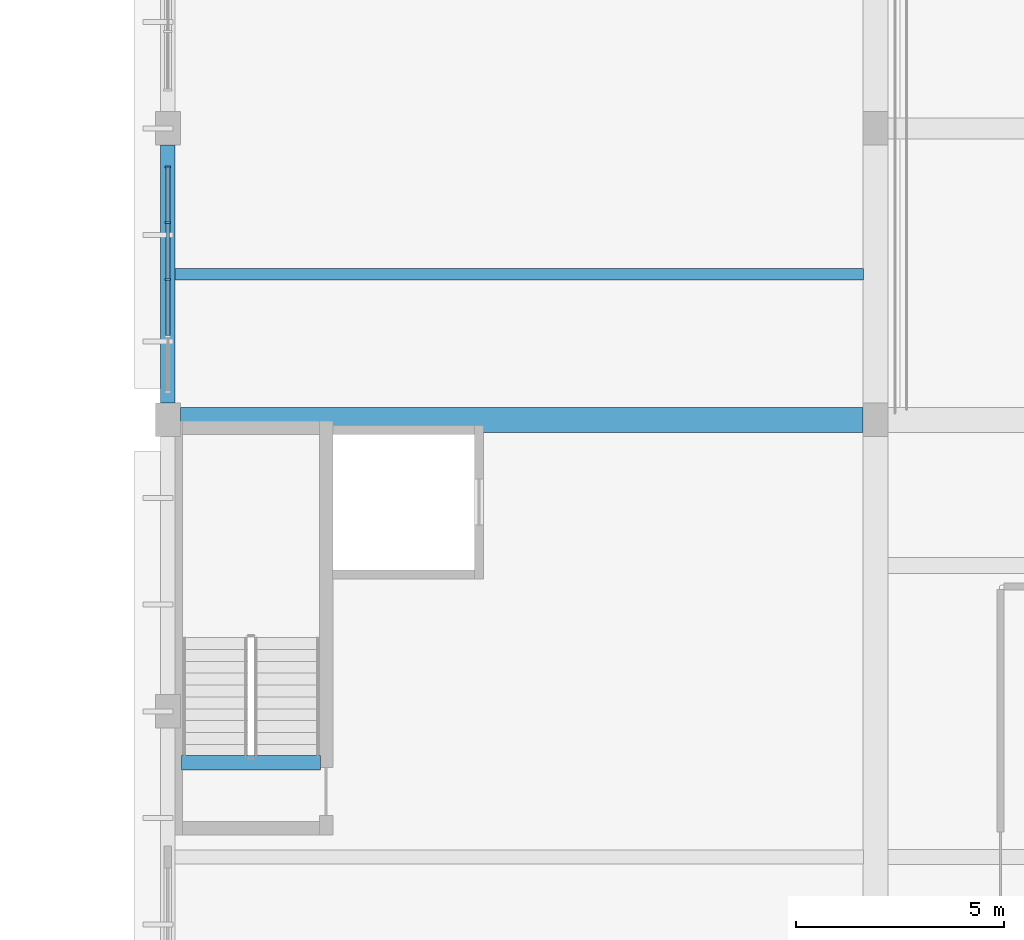
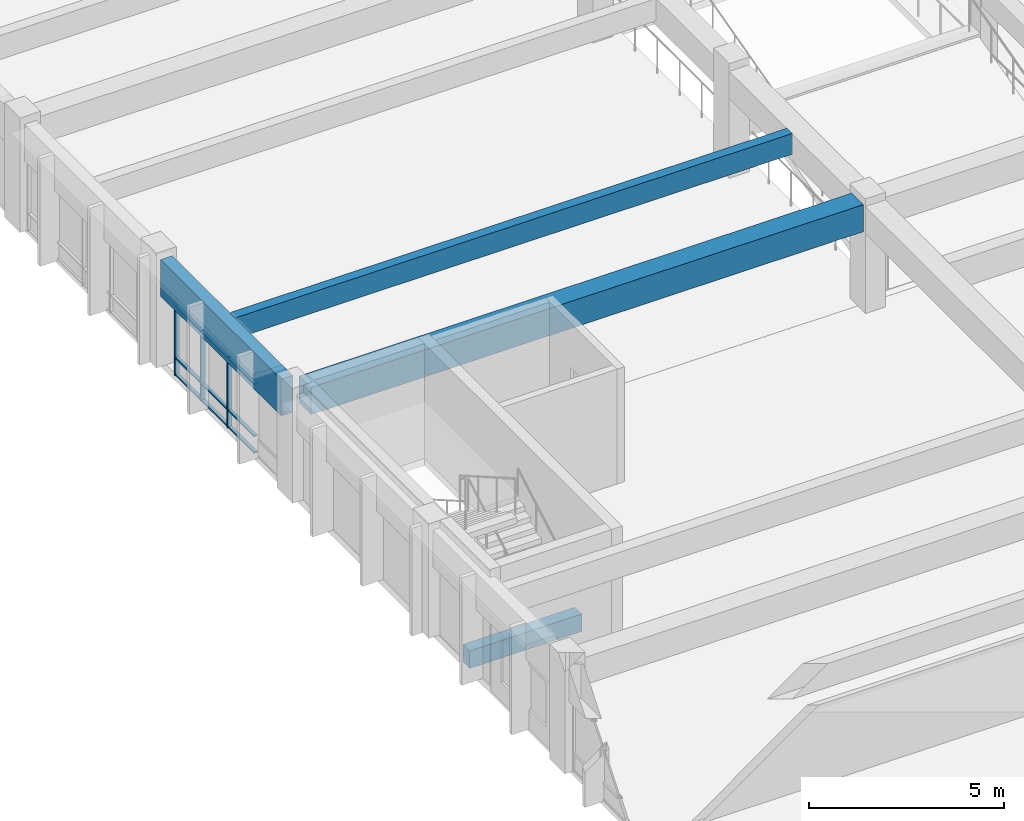
# One storey, part 16 of 77: 12 members, 4 beams, 1 element without a shape of its own.
"""IFC4 building model written with IfcOpenShell, lengths in metres."""

from ifc_helpers import new_model, si_unit, direction, frame, origin, origin_2d, place, context, subcontext, project, spatial, rectangle, extrude, material, material_profile, profile_set, type_object, element, aggregate, save


model = new_model("IFC4")

# Units and contexts
model_context = context("Model", 3, precision=1e-05, world=origin(), true_north=direction((0.0, 1.0)))
body_context = subcontext(model_context, "Body", "Model", "MODEL_VIEW")
ifc_project = project(units=[si_unit("LENGTHUNIT", "METRE"), si_unit("AREAUNIT", "SQUARE_METRE"), si_unit("VOLUMEUNIT", "CUBIC_METRE"), si_unit("PLANEANGLEUNIT", "RADIAN"), si_unit("MASSUNIT", "GRAM", prefix="KILO")], contexts=[model_context])

# Site, building, storey
site_placement = place(None, origin())
site = spatial("IfcSite", under=ifc_project, at=site_placement, CompositionType="ELEMENT")
building_placement = place(site_placement, origin())
building = spatial("IfcBuilding", under=site, at=building_placement, Name="Larkveld Mobility Hub", CompositionType="ELEMENT")
storey_placement = place(building_placement, frame((0.0, 0.0, 12.0)))
storey = spatial("IfcBuildingStorey", under=building, at=storey_placement, Name="L03", CompositionType="ELEMENT", Elevation=12.0)

# Beams
ifc_material_1 = material(Name="Precast concrete C50/60", Category="concrete")
ifc_material_profile_1 = material_profile(ifc_material_1, rectangle(XDim=0.280029296875, YDim=0.64990234375, at=origin_2d()), Name="PC DT 280x650")
ifc_profile_set_1 = profile_set([ifc_material_profile_1], Name="Precast concrete C50/60")
beam_type_1 = type_object("IfcBeamType", Name="BM-DT2865", PredefinedType="T_BEAM", material=ifc_profile_set_1)
beam_1_placement = place(storey_placement, frame((112.169921875, 59.5, 3.044921875), z_axis=(1.0, 0.0, 0.0), x_axis=(0.0, 1.0, 0.0)))
element("IfcBeam", 1, at=beam_1_placement, inside=storey, type_object=beam_type_1, Name="Precast Double-Tee Stem L03-1116", PredefinedType="T_BEAM", context=body_context, shape_type="SweptSolid", body=[
    extrude(rectangle(XDim=0.280029296875, YDim=0.64990234375, at=origin_2d()), origin(), (0.0, 0.0, 1.0), 16.53515625),
])
ifc_material_profile_2 = material_profile(ifc_material_1, rectangle(XDim=0.60009765625, YDim=0.85009765625, at=origin_2d()), Name="PC ITB 600x850")
ifc_profile_set_2 = profile_set([ifc_material_profile_2], Name="Precast concrete C50/60")
beam_type_2 = type_object("IfcBeamType", Name="BM-ITB6085", PredefinedType="T_BEAM", material=ifc_profile_set_2)
beam_2_placement = place(storey_placement, frame((112.300048828125, 56.0, 2.93505859375), z_axis=(1.0, 0.0, 0.0), x_axis=(0.0, 1.0, 0.0)))
element("IfcBeam", 2, at=beam_2_placement, inside=storey, type_object=beam_type_2, Name="Primary E-W Girder L03-0724", PredefinedType="T_BEAM", context=body_context, shape_type="SweptSolid", body=[
    extrude(rectangle(XDim=0.60009765625, YDim=0.85009765625, at=origin_2d()), origin(), (0.0, 0.0, 1.0), 16.39990234375),
])
ifc_material_2 = material(Name="Concrete C40/50", Category="concrete")
ifc_material_profile_3 = material_profile(ifc_material_2, rectangle(XDim=0.35009765625, YDim=0.550048828125, at=origin_2d()), Name="RC BM 350x550")
ifc_profile_set_3 = profile_set([ifc_material_profile_3], Name="Concrete C40/50")
beam_type_3 = type_object("IfcBeamType", Name="BM-RC3555", PredefinedType="BEAM", material=ifc_profile_set_3)
beam_3_placement = place(storey_placement, frame((112.330078125, 47.760009765625, -0.27001953125), z_axis=(1.0, 0.0, 0.0), x_axis=(0.0, 1.0, 0.0)))
element("IfcBeam", 3, at=beam_3_placement, inside=storey, type_object=beam_type_3, Name="Core C3 Stair Header Beam L03", PredefinedType="BEAM", context=body_context, shape_type="SweptSolid", body=[
    extrude(rectangle(XDim=0.35009765625, YDim=0.550048828125, at=origin_2d()), origin(), (0.0, 0.0, 1.0), 3.329833984375),
])
ifc_material_profile_4 = material_profile(ifc_material_1, rectangle(XDim=0.35009765625, YDim=1.14990234375, at=origin_2d()), Name="PC SP 350x1150")
ifc_profile_set_4 = profile_set([ifc_material_profile_4], Name="Precast concrete C50/60")
beam_type_4 = type_object("IfcBeamType", Name="BM-SP35115", PredefinedType="SPANDREL", material=ifc_profile_set_4)
beam_4_placement = place(storey_placement, frame((112.0, 56.39990234375, 2.784912109375), z_axis=(0.0, 1.0, 0.0), x_axis=(-1.0, 0.0, 0.0)))
element("IfcBeam", 4, at=beam_4_placement, inside=storey, type_object=beam_type_4, Name="Primary N-S Girder L03-0802", PredefinedType="SPANDREL", context=body_context, shape_type="SweptSolid", body=[
    extrude(rectangle(XDim=0.35009765625, YDim=1.14990234375, at=origin_2d()), origin(), (0.0, 0.0, 1.0), 6.2001953125),
])

# Curtain wall, members
ifc_material_3 = material(Name="Anodised aluminium 6063-T6", Category="aluminium")
curtain_wall_type = type_object("IfcCurtainWallType", Name="CW-SYS-12", PredefinedType="NOTDEFINED", material=ifc_material_3)
curtain_wall_placement = place(storey_placement, origin())
curtain_wall = element("IfcCurtainWall", 5, at=curtain_wall_placement, inside=storey, type_object=curtain_wall_type, Name="EV Wing West Glazing L03 CW-144", PredefinedType="NOTDEFINED")
ifc_material_profile_5 = material_profile(ifc_material_3, rectangle(XDim=0.050048828125, YDim=0.1298828125, at=origin_2d()), Name="ALU MULL 50x130")
ifc_profile_set_5 = profile_set([ifc_material_profile_5], Name="Anodised aluminium 6063-T6")
member_type_1 = type_object("IfcMemberType", Name="CW-MUL-04", PredefinedType="MULLION", material=ifc_profile_set_5)
member_1_placement = place(storey_placement, frame((112.0, 62.074951171875, -0.001953125), z_axis=(0.0, 0.0, 1.0), x_axis=(0.0, -1.0, 0.0)))
member_1 = element("IfcMember", 6, at=member_1_placement, type_object=member_type_1, Name="CW12 mullion 1", PredefinedType="MULLION", context=body_context, shape_type="SweptSolid", body=[
    extrude(rectangle(XDim=0.050048828125, YDim=0.1298828125, at=origin_2d()), origin(), (0.0, 0.0, 1.0), 2.2119140625),
])
member_2_placement = place(storey_placement, frame((112.0, 60.735107421875, -0.001953125), z_axis=(0.0, 0.0, 1.0), x_axis=(0.0, -1.0, 0.0)))
member_2 = element("IfcMember", 7, at=member_2_placement, type_object=member_type_1, Name="CW12 mullion 2", PredefinedType="MULLION", context=body_context, shape_type="SweptSolid", body=[
    extrude(rectangle(XDim=0.050048828125, YDim=0.1298828125, at=origin_2d()), origin(), (0.0, 0.0, 1.0), 2.2119140625),
])
member_3_placement = place(storey_placement, frame((112.0, 59.3701171875, -0.001953125), z_axis=(0.0, 0.0, 1.0), x_axis=(0.0, -1.0, 0.0)))
member_3 = element("IfcMember", 8, at=member_3_placement, type_object=member_type_1, Name="CW12 mullion 3", PredefinedType="MULLION", context=body_context, shape_type="SweptSolid", body=[
    extrude(rectangle(XDim=0.050048828125, YDim=0.1298828125, at=origin_2d()), origin(), (0.0, 0.0, 1.0), 2.2119140625),
])
ifc_material_profile_6 = material_profile(ifc_material_3, rectangle(XDim=0.10009765625, YDim=0.050048828125, at=origin_2d()), Name="ALU TRAN 50x100")
ifc_profile_set_6 = profile_set([ifc_material_profile_6], Name="Anodised aluminium 6063-T6")
member_type_2 = type_object("IfcMemberType", Name="CW-TRN-04", PredefinedType="USERDEFINED", material=ifc_profile_set_6)
member_4_placement = place(storey_placement, frame((112.0, 62.06494140625, 0.030029296875), z_axis=(0.0, -1.0, 0.0), x_axis=(1.0, 0.0, 0.0)))
member_4 = element("IfcMember", 9, at=member_4_placement, type_object=member_type_2, Name="CW12 transom 1.1", ObjectType="TRANSOM", PredefinedType="USERDEFINED", context=body_context, shape_type="SweptSolid", body=[
    extrude(rectangle(XDim=0.10009765625, YDim=0.050048828125, at=origin_2d()), origin(), (0.0, 0.0, 1.0), 1.31494140625),
])
member_5_placement = place(storey_placement, frame((112.0, 62.06494140625, 0.552001953125), z_axis=(0.0, -1.0, 0.0), x_axis=(1.0, 0.0, 0.0)))
member_5 = element("IfcMember", 10, at=member_5_placement, type_object=member_type_2, Name="CW12 transom 1.2", ObjectType="TRANSOM", PredefinedType="USERDEFINED", context=body_context, shape_type="SweptSolid", body=[
    extrude(rectangle(XDim=0.10009765625, YDim=0.050048828125, at=origin_2d()), origin(), (0.0, 0.0, 1.0), 1.31494140625),
])
member_6_placement = place(storey_placement, frame((112.0, 62.06494140625, 2.177978515625), z_axis=(0.0, -1.0, 0.0), x_axis=(1.0, 0.0, 0.0)))
member_6 = element("IfcMember", 11, at=member_6_placement, type_object=member_type_2, Name="CW12 transom 1.3", ObjectType="TRANSOM", PredefinedType="USERDEFINED", context=body_context, shape_type="SweptSolid", body=[
    extrude(rectangle(XDim=0.10009765625, YDim=0.050048828125, at=origin_2d()), origin(), (0.0, 0.0, 1.0), 1.31494140625),
])
member_7_placement = place(storey_placement, frame((112.0, 60.719970703125, 0.030029296875), z_axis=(0.0, -1.0, 0.0), x_axis=(1.0, 0.0, 0.0)))
member_7 = element("IfcMember", 12, at=member_7_placement, type_object=member_type_2, Name="CW12 transom 2.1", ObjectType="TRANSOM", PredefinedType="USERDEFINED", context=body_context, shape_type="SweptSolid", body=[
    extrude(rectangle(XDim=0.10009765625, YDim=0.050048828125, at=origin_2d()), origin(), (0.0, 0.0, 1.0), 1.3349609375),
])
member_8_placement = place(storey_placement, frame((112.0, 60.719970703125, 0.552001953125), z_axis=(0.0, -1.0, 0.0), x_axis=(1.0, 0.0, 0.0)))
member_8 = element("IfcMember", 13, at=member_8_placement, type_object=member_type_2, Name="CW12 transom 2.2", ObjectType="TRANSOM", PredefinedType="USERDEFINED", context=body_context, shape_type="SweptSolid", body=[
    extrude(rectangle(XDim=0.10009765625, YDim=0.050048828125, at=origin_2d()), origin(), (0.0, 0.0, 1.0), 1.3349609375),
])
member_9_placement = place(storey_placement, frame((112.0, 60.719970703125, 2.177978515625), z_axis=(0.0, -1.0, 0.0), x_axis=(1.0, 0.0, 0.0)))
member_9 = element("IfcMember", 14, at=member_9_placement, type_object=member_type_2, Name="CW12 transom 2.3", ObjectType="TRANSOM", PredefinedType="USERDEFINED", context=body_context, shape_type="SweptSolid", body=[
    extrude(rectangle(XDim=0.10009765625, YDim=0.050048828125, at=origin_2d()), origin(), (0.0, 0.0, 1.0), 1.3349609375),
])
member_10_placement = place(storey_placement, frame((112.0, 59.35498046875, 0.030029296875), z_axis=(0.0, -1.0, 0.0), x_axis=(1.0, 0.0, 0.0)))
member_10 = element("IfcMember", 15, at=member_10_placement, type_object=member_type_2, Name="CW12 transom 3.1", ObjectType="TRANSOM", PredefinedType="USERDEFINED", context=body_context, shape_type="SweptSolid", body=[
    extrude(rectangle(XDim=0.10009765625, YDim=0.050048828125, at=origin_2d()), origin(), (0.0, 0.0, 1.0), 1.3349609375),
])
member_11_placement = place(storey_placement, frame((112.0, 59.35498046875, 0.552001953125), z_axis=(0.0, -1.0, 0.0), x_axis=(1.0, 0.0, 0.0)))
member_11 = element("IfcMember", 16, at=member_11_placement, type_object=member_type_2, Name="CW12 transom 3.2", ObjectType="TRANSOM", PredefinedType="USERDEFINED", context=body_context, shape_type="SweptSolid", body=[
    extrude(rectangle(XDim=0.10009765625, YDim=0.050048828125, at=origin_2d()), origin(), (0.0, 0.0, 1.0), 1.3349609375),
])
member_12_placement = place(storey_placement, frame((112.0, 59.35498046875, 2.177978515625), z_axis=(0.0, -1.0, 0.0), x_axis=(1.0, 0.0, 0.0)))
member_12 = element("IfcMember", 17, at=member_12_placement, type_object=member_type_2, Name="CW12 transom 3.3", ObjectType="TRANSOM", PredefinedType="USERDEFINED", context=body_context, shape_type="SweptSolid", body=[
    extrude(rectangle(XDim=0.10009765625, YDim=0.050048828125, at=origin_2d()), origin(), (0.0, 0.0, 1.0), 1.3349609375),
])
aggregate(curtain_wall, [member_1, member_2, member_3, member_4, member_5, member_6, member_7, member_8, member_9, member_10, member_11, member_12])

save(model, "model.ifc")
